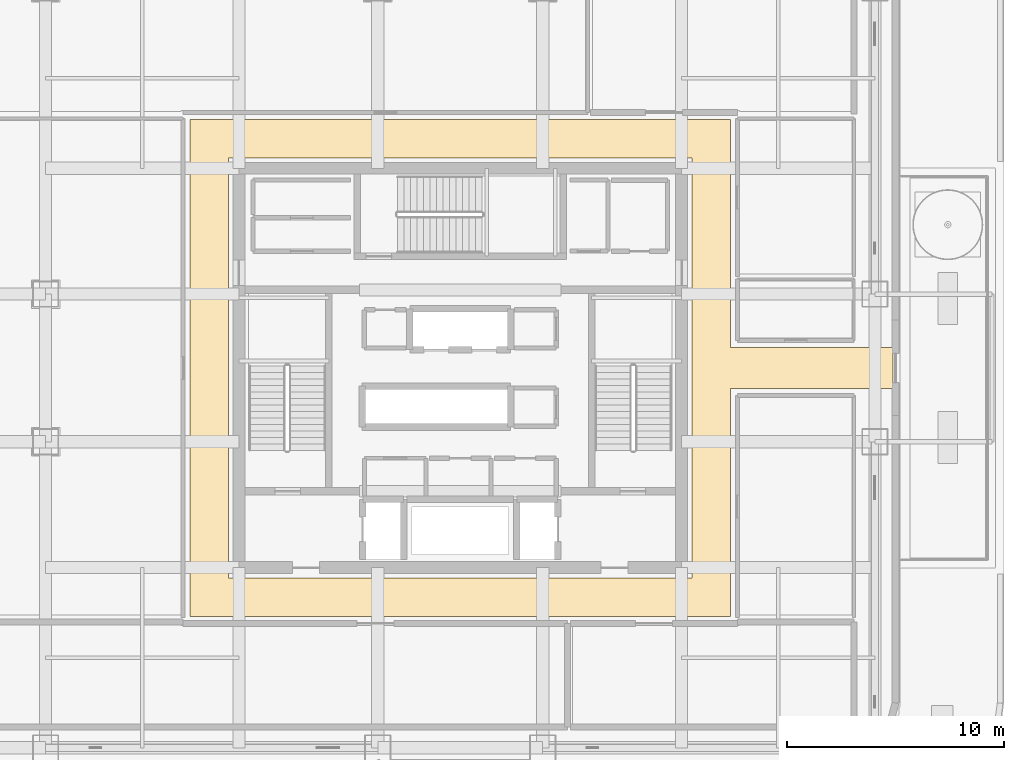
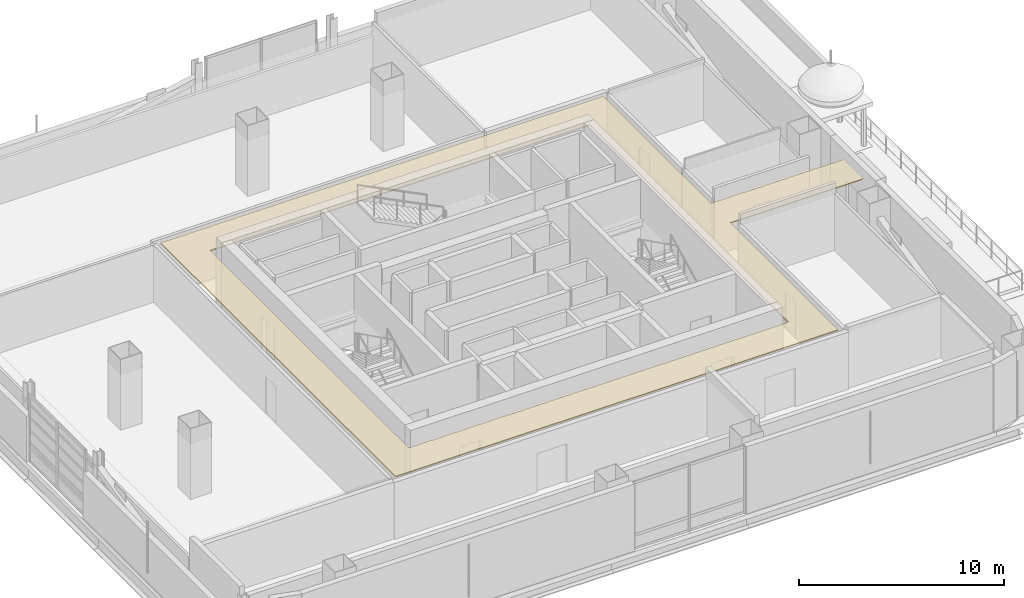
# One storey, part 25 of 31: 1 covering.
"""IFC4 building model written with IfcOpenShell, lengths in metres."""

from ifc_helpers import new_model, si_unit, direction, frame, origin, place, context, subcontext, project, spatial, polyline, outline, extrude, material, layer, layer_set, type_object, element, save


model = new_model("IFC4")

# Units and contexts
model_context = context("Model", 3, precision=1e-05, world=origin(), true_north=direction((0.0, 1.0)))
body_context = subcontext(model_context, "Body", "Model", "MODEL_VIEW")
ifc_project = project(units=[si_unit("LENGTHUNIT", "METRE"), si_unit("AREAUNIT", "SQUARE_METRE"), si_unit("VOLUMEUNIT", "CUBIC_METRE"), si_unit("PLANEANGLEUNIT", "RADIAN"), si_unit("MASSUNIT", "GRAM", prefix="KILO")], contexts=[model_context])

# Site, building, storey
site_placement = place(None, origin())
site = spatial("IfcSite", under=ifc_project, at=site_placement, CompositionType="ELEMENT")
building_placement = place(site_placement, origin())
building = spatial("IfcBuilding", under=site, at=building_placement, Name="Punatoya Terracotta Tower", CompositionType="ELEMENT")
storey_placement = place(building_placement, frame((0.0, 0.0, 283.800048828125)))
storey = spatial("IfcBuildingStorey", under=building, at=storey_placement, Name="L67", CompositionType="ELEMENT", Elevation=283.800048828125)

# Covering
ifc_material = material(Name="Acoustic Mineral Fibre Ceiling")
ifc_layer = layer(ifc_material, 0.06005859375)
ifc_layer_set = layer_set([ifc_layer], Name="Acoustic Mineral Fibre Ceiling")
covering_type = type_object("IfcCoveringType", Name="COV-CEIL-60", PredefinedType="CEILING", material=ifc_layer_set)
covering_placement = place(storey_placement, frame((0.0, 0.0, 3.31005859375)))
element("IfcCovering", 1, at=covering_placement, inside=storey, type_object=covering_type, Name="L67 Executive Circulation Corridor Acoustic Ceiling", PredefinedType="CEILING", context=body_context, shape_type="SweptSolid", body=[
    extrude(outline(polyline([(12.449951171875, -0.949951171875), (19.929931640625, -0.949951171875), (19.929931640625, 0.949951171875), (12.449951171875, 0.949951171875), (12.449951171875, 11.449951171875), (-12.449951171875, 11.449951171875), (-12.449951171875, -11.449951171875), (12.449951171875, -11.449951171875), (12.449951171875, -0.949951171875)]), holes=[polyline([(-10.679931640625, -9.679931640625), (-10.679931640625, 9.679931640625), (10.679931640625, 9.679931640625), (10.679931640625, -9.679931640625), (-10.679931640625, -9.679931640625)])]), origin(), (0.0, 0.0, 1.0), 0.059814453125),
])

save(model, "model.ifc")
